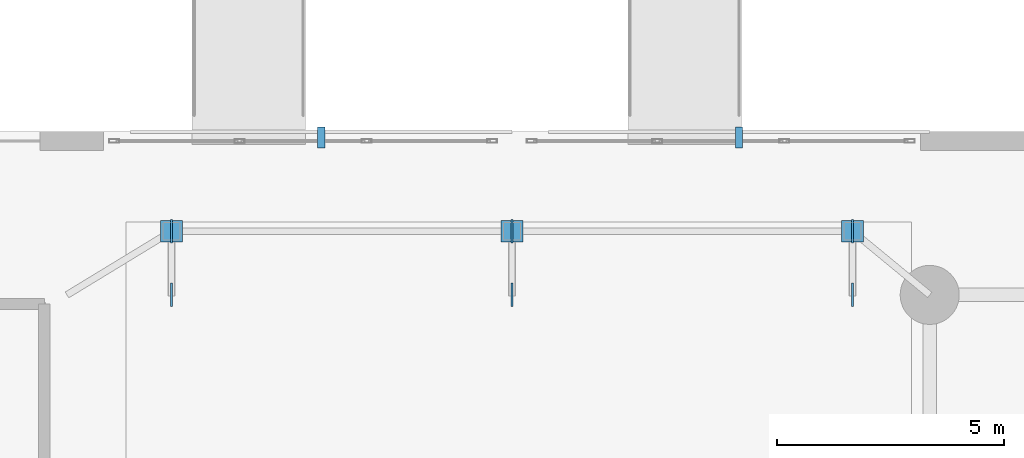
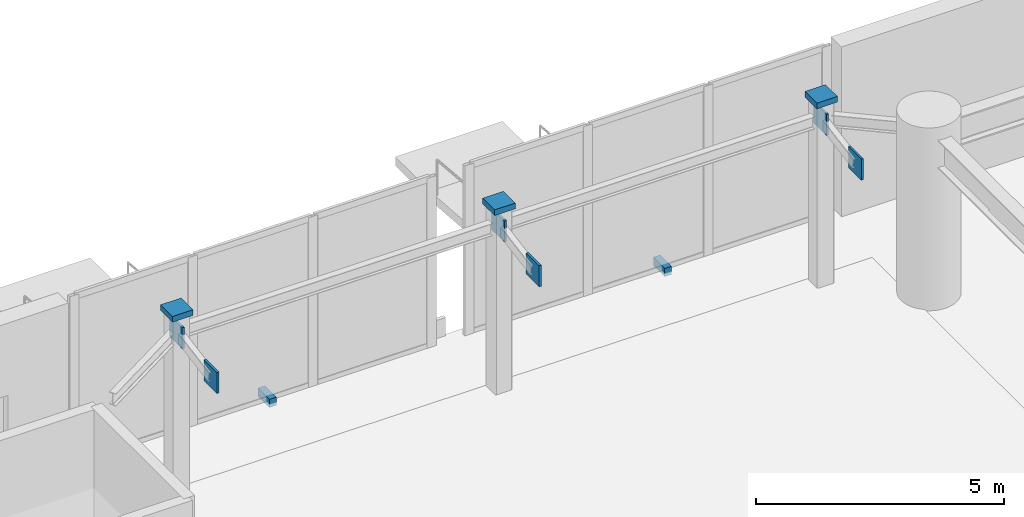
# One storey, part 33 of 42: 11 discrete accessories.
"""IFC4 building model written with IfcOpenShell, lengths in metres."""

from ifc_helpers import new_model, si_unit, direction, frame, origin, origin_2d, place, context, subcontext, project, spatial, rectangle, extrude, material, type_object, element, save


model = new_model("IFC4")

# Units and contexts
model_context = context("Model", 3, precision=1e-05, world=origin(), true_north=direction((0.0, 1.0)))
body_context = subcontext(model_context, "Body", "Model", "MODEL_VIEW")
ifc_project = project(units=[si_unit("LENGTHUNIT", "METRE"), si_unit("AREAUNIT", "SQUARE_METRE"), si_unit("VOLUMEUNIT", "CUBIC_METRE"), si_unit("PLANEANGLEUNIT", "RADIAN"), si_unit("MASSUNIT", "GRAM", prefix="KILO")], contexts=[model_context])

# Site, building, storey
site_placement = place(None, origin())
site = spatial("IfcSite", under=ifc_project, at=site_placement, CompositionType="ELEMENT")
building_placement = place(site_placement, origin())
building = spatial("IfcBuilding", under=site, at=building_placement, Name="Narakoshi Arena Tower", CompositionType="ELEMENT")
storey_placement = place(building_placement, origin())
storey = spatial("IfcBuildingStorey", under=building, at=storey_placement, Name="L00", CompositionType="ELEMENT", Elevation=0.0)

# Discrete accessories
ifc_material_1 = material(Name="Structural steel S355J2", Category="steel")
discrete_accessory_type_1 = type_object("IfcDiscreteAccessoryType", Name="ACC-BRK-SCR", PredefinedType="BRACKET", material=ifc_material_1)
for number, where, z_axis, x_axis, name in (
    (1, (66.0, 95.8701171875, -0.080078125), (0.0, 0.0, 1.0), (-1.0, 0.0, 0.0), "L00 Solar Screen Support Bracket SHD-L00-SUN-CN1"),
    (2, (56.800048828125, 95.8701171875, -0.080078125), (0.0, 0.0, 1.0), (-1.0, 0.0, 0.0), "L00 Solar Screen Support Bracket SHD-L00-SUN-CN2"),
):
    element("IfcDiscreteAccessory", number, at=place(storey_placement, frame(where, z_axis=z_axis, x_axis=x_axis)), inside=storey, type_object=discrete_accessory_type_1, Name=name, PredefinedType="BRACKET", context=body_context, shape_type="SweptSolid", body=[
        extrude(rectangle(XDim=0.159912109375, YDim=0.4599609375, at=origin_2d()), origin(), (0.0, 0.0, 1.0), 0.199951171875),
    ])
ifc_material_2 = material(Name="Structural steel S460ML", Category="steel")
discrete_accessory_type_2 = type_object("IfcDiscreteAccessoryType", Name="ACC-GUS-PLT", PredefinedType="BRACKET", material=ifc_material_2)
for number, where, z_axis, x_axis, name in (
    (3, (53.5, 93.800048828125, 4.490234375), (0.0, 0.0, 1.0), (1.0, 0.0, 0.0), "L00 Canopy Column Top Cap Plate CAN04"),
    (4, (61.0, 93.800048828125, 4.490234375), (0.0, 0.0, 1.0), (1.0, 0.0, 0.0), "L00 Canopy Column Top Cap Plate CAN05"),
    (5, (68.5, 93.800048828125, 4.490234375), (0.0, 0.0, 1.0), (1.0, 0.0, 0.0), "L00 Canopy Column Top Cap Plate CAN06"),
):
    element("IfcDiscreteAccessory", number, at=place(storey_placement, frame(where, z_axis=z_axis, x_axis=x_axis)), inside=storey, type_object=discrete_accessory_type_2, Name=name, PredefinedType="BRACKET", context=body_context, shape_type="SweptSolid", body=[
        extrude(rectangle(XDim=0.47998046875, YDim=0.47998046875, at=origin_2d()), origin(), (0.0, 0.0, 1.0), 0.139892578125),
    ])
for number, where, z_axis, x_axis, name in (
    (6, (53.5, 93.800048828125, 3.77001953125), (0.0, 0.0, 1.0), (0.0, 1.0, 0.0), "L00 Brace Node Gusset Plate 0013"),
    (7, (53.5, 92.39990234375, 3.52001953125), (0.0, 0.0, 1.0), (0.0, 1.0, 0.0), "L00 Brace Node Gusset Plate 0014"),
    (8, (61.0, 93.800048828125, 3.77001953125), (0.0, 0.0, 1.0), (0.0, 1.0, 0.0), "L00 Brace Node Gusset Plate 0015"),
    (9, (61.0, 92.39990234375, 3.52001953125), (0.0, 0.0, 1.0), (0.0, 1.0, 0.0), "L00 Brace Node Gusset Plate 0016"),
    (10, (68.5, 93.800048828125, 3.77001953125), (0.0, 0.0, 1.0), (0.0, 1.0, 0.0), "L00 Brace Node Gusset Plate 0017"),
    (11, (68.5, 92.39990234375, 3.52001953125), (0.0, 0.0, 1.0), (0.0, 1.0, 0.0), "L00 Brace Node Gusset Plate 0018"),
):
    element("IfcDiscreteAccessory", number, at=place(storey_placement, frame(where, z_axis=z_axis, x_axis=x_axis)), inside=storey, type_object=discrete_accessory_type_2, Name=name, PredefinedType="BRACKET", context=body_context, shape_type="SweptSolid", body=[
        extrude(rectangle(XDim=0.52001953125, YDim=0.050048828125, at=origin_2d()), origin(), (0.0, 0.0, 1.0), 0.52001953125),
    ])

save(model, "model.ifc")
